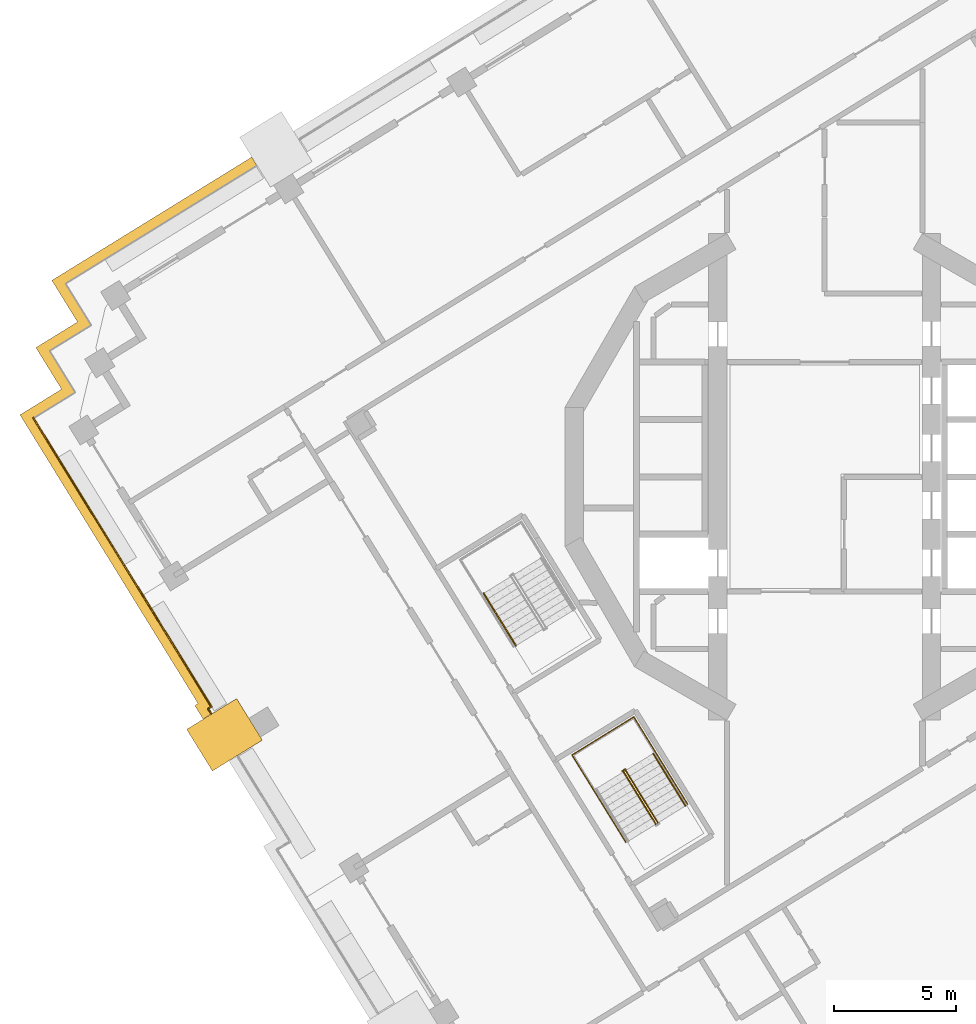
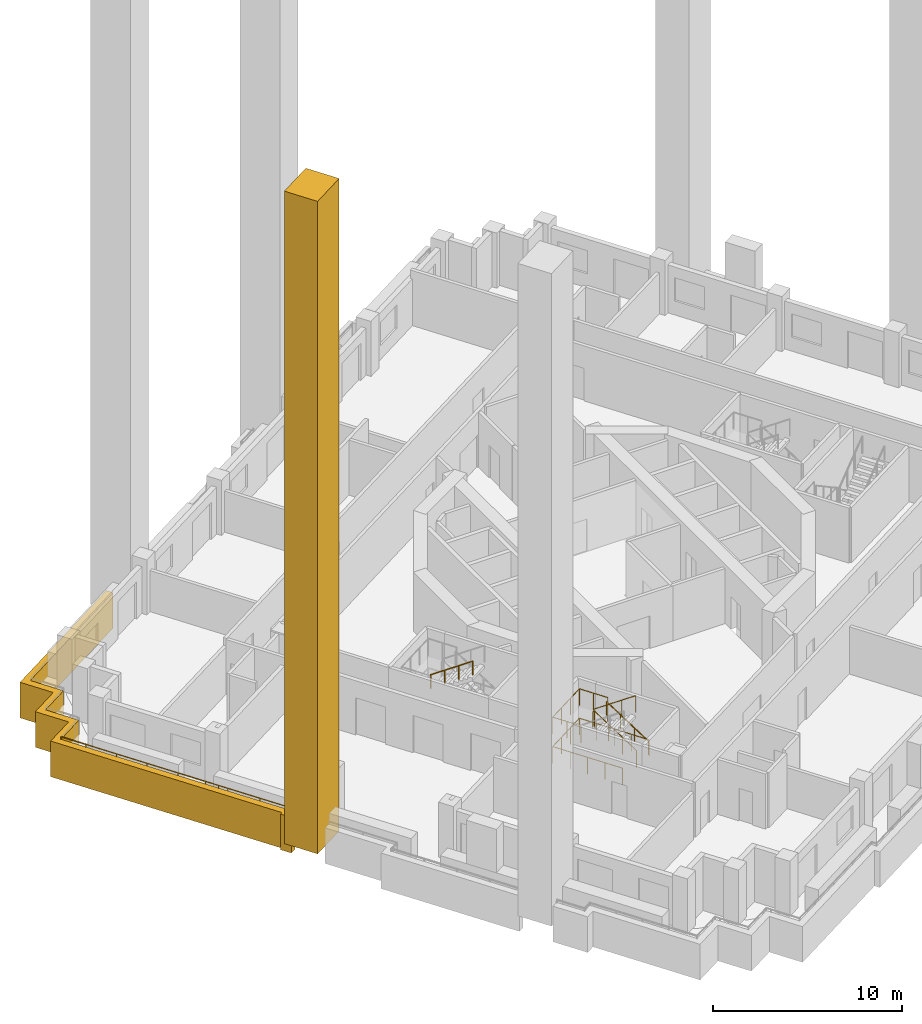
# One storey, part 12 of 19: 7 railings, 2 coverings.
"""IFC4 building model written with IfcOpenShell, lengths in metres."""

from ifc_helpers import new_model, si_unit, direction, frame, origin, origin_2d, place, context, subcontext, project, spatial, polyline, rectangle, circle, outline, extrude, material, type_object, element, save


model = new_model("IFC4")

# Units and contexts
model_context = context("Model", 3, precision=1e-05, world=origin(), true_north=direction((0.0, 1.0)))
body_context = subcontext(model_context, "Body", "Model", "MODEL_VIEW")
ifc_project = project(units=[si_unit("LENGTHUNIT", "METRE"), si_unit("AREAUNIT", "SQUARE_METRE"), si_unit("VOLUMEUNIT", "CUBIC_METRE"), si_unit("PLANEANGLEUNIT", "RADIAN"), si_unit("MASSUNIT", "GRAM", prefix="KILO")], contexts=[model_context])

# Site, building, storey
site_placement = place(None, origin())
site = spatial("IfcSite", under=ifc_project, at=site_placement, CompositionType="ELEMENT")
building_placement = place(site_placement, origin())
building = spatial("IfcBuilding", under=site, at=building_placement, Name="Cantera Rosa Tower", CompositionType="ELEMENT")
storey_placement = place(building_placement, frame((0.0, 0.0, 147.60009765625)))
storey = spatial("IfcBuildingStorey", under=building, at=storey_placement, Name="L31", CompositionType="ELEMENT", Elevation=147.60009765625)

# Railings
ifc_material_1 = material(Name="Stainless steel and laminated glass", Category="steel")
railing_type_1 = type_object("IfcRailingType", Name="GUARD 1100", PredefinedType="BALUSTRADE", material=ifc_material_1)
railing_1_placement = place(storey_placement, frame((-25.111328125, -9.684814453125, 0.0)))
element("IfcRailing", 1, at=railing_1_placement, inside=storey, type_object=railing_type_1, Name="GUARD L31-4", PredefinedType="BALUSTRADE", context=body_context, shape_type="SweptSolid", body=[
    extrude(circle(Radius=0.030029296875, at=origin_2d()), frame((0.0, 0.0, 1.070068359375), z_axis=(-0.524277608227, 0.851547408846, 0.0), x_axis=(-0.851547408846, -0.524277608227, 0.0)), (0.0, 0.0, 1.0), 0.226806640625),
    extrude(circle(Radius=0.030029296875, at=origin_2d()), frame((-0.118896484375, 0.193115234375, 1.070068359375), z_axis=(0.850961909884, 0.525227405917, 0.0), x_axis=(-0.525227405917, 0.850961909884, 0.0)), (0.0, 0.0, 1.0), 0.15673828125),
    extrude(circle(Radius=0.030029296875, at=origin_2d()), frame((0.014404296875, 0.275390625, 1.070068359375), z_axis=(-0.478852130681, 0.877895572914, 0.0), x_axis=(-0.877895572914, -0.478852130681, 0.0)), (0.0, 0.0, 1.0), 0.003173828125),
    extrude(circle(Radius=0.030029296875, at=origin_2d()), frame((0.012939453125, 0.278076171875, 1.070068359375), z_axis=(-0.525004014668, 0.851099750078, 0.0), x_axis=(-0.851099750078, -0.525004014668, 0.0)), (0.0, 0.0, 1.0), 3.860107421875),
    extrude(circle(Radius=0.030029296875, at=origin_2d()), frame((-2.013671875, 3.5634765625, 1.070068359375), z_axis=(-0.524708727401, 0.851281828415, 0.0), x_axis=(-0.851281828415, -0.524708727401, 0.0)), (0.0, 0.0, 1.0), 0.556884765625),
    extrude(circle(Radius=0.030029296875, at=origin_2d()), frame((-2.305908203125, 4.03759765625, 1.070068359375), z_axis=(-0.525093097902, 0.85104479232, 0.0), x_axis=(-0.85104479232, -0.525093097902, 0.0)), (0.0, 0.0, 1.0), 0.793212890625),
    extrude(circle(Radius=0.030029296875, at=origin_2d()), frame((-2.722412109375, 4.712646484375, 1.070068359375), z_axis=(-0.52498875388, 0.851109163562, 0.0), x_axis=(-0.851109163562, -0.52498875388, 0.0)), (0.0, 0.0, 1.0), 1.64990234375),
    extrude(circle(Radius=0.030029296875, at=origin_2d()), frame((-3.588623046875, 6.116943359375, 1.070068359375), z_axis=(-0.524968277683, 0.851121793533, 0.0), x_axis=(-0.851121793533, -0.524968277683, 0.0)), (0.0, 0.0, 1.0), 5.519775390625),
    extrude(circle(Radius=0.030029296875, at=origin_2d()), frame((-6.486328125, 10.81494140625, 1.070068359375), z_axis=(-0.524986950369, 0.851110276017, 0.0), x_axis=(-0.851110276017, -0.524986950369, 0.0)), (0.0, 0.0, 1.0), 1.500244140625),
    extrude(circle(Radius=0.02490234375, at=origin_2d()), origin(), (0.0, 0.0, 1.0), 1.0400390625),
    extrude(circle(Radius=0.02490234375, at=origin_2d()), frame((-0.118896484375, 0.193115234375, 0.0)), (0.0, 0.0, 1.0), 1.0400390625),
    extrude(circle(Radius=0.02490234375, at=origin_2d()), frame((0.014404296875, 0.275390625, 0.0)), (0.0, 0.0, 1.0), 1.0400390625),
    extrude(circle(Radius=0.02490234375, at=origin_2d()), frame((0.012939453125, 0.278076171875, 0.0)), (0.0, 0.0, 1.0), 1.0400390625),
    extrude(circle(Radius=0.02490234375, at=origin_2d()), frame((-1.00048828125, 1.9208984375, 0.0)), (0.0, 0.0, 1.0), 1.0400390625),
    extrude(circle(Radius=0.02490234375, at=origin_2d()), frame((-2.013671875, 3.5634765625, 0.0)), (0.0, 0.0, 1.0), 1.0400390625),
    extrude(circle(Radius=0.02490234375, at=origin_2d()), frame((-2.305908203125, 4.03759765625, 0.0)), (0.0, 0.0, 1.0), 1.0400390625),
    extrude(circle(Radius=0.02490234375, at=origin_2d()), frame((-2.722412109375, 4.712646484375, 0.0)), (0.0, 0.0, 1.0), 1.0400390625),
    extrude(circle(Radius=0.02490234375, at=origin_2d()), frame((-3.588623046875, 6.116943359375, 0.0)), (0.0, 0.0, 1.0), 1.0400390625),
    extrude(circle(Radius=0.02490234375, at=origin_2d()), frame((-4.554443359375, 7.682861328125, 0.0)), (0.0, 0.0, 1.0), 1.0400390625),
    extrude(circle(Radius=0.02490234375, at=origin_2d()), frame((-5.5205078125, 9.2490234375, 0.0)), (0.0, 0.0, 1.0), 1.0400390625),
    extrude(circle(Radius=0.02490234375, at=origin_2d()), frame((-6.486328125, 10.81494140625, 0.0)), (0.0, 0.0, 1.0), 1.0400390625),
    extrude(circle(Radius=0.02490234375, at=origin_2d()), frame((-7.27392578125, 12.091796875, 0.0)), (0.0, 0.0, 1.0), 1.0400390625),
])
ifc_material_2 = material(Name="Steel S355J2 (EN 10025-2)", Category="steel")
railing_type_2 = type_object("IfcRailingType", Name="STAIR GUARD 1100", PredefinedType="GUARDRAIL", material=ifc_material_2)
railing_2_placement = place(storey_placement, frame((-6.8232421875, -14.165771484375, 0.18994140625)))
element("IfcRailing", 2, at=railing_2_placement, inside=storey, type_object=railing_type_2, Name="L31 ST-33 stair guard 1", PredefinedType="GUARDRAIL", context=body_context, shape_type="SweptSolid", body=[
    extrude(circle(Radius=0.02392578125, at=origin_2d()), frame((0.0, 0.0, 1.076171875), z_axis=(-0.434427613125, 0.704271375033, 0.561493080334), x_axis=(-0.851102330005, -0.524999832248, 0.0)), (0.0, 0.0, 1.0), 3.04541015625),
    extrude(circle(Radius=0.02392578125, at=origin_2d()), frame((-1.322998046875, 2.144775390625, 2.7861328125), z_axis=(-0.073711968402, 0.997279572494, 0.0), x_axis=(-0.997279572494, -0.073711968402, 0.0)), (0.0, 0.0, 1.0), 0.056396484375),
    extrude(circle(Radius=0.02392578125, at=origin_2d()), frame((-1.3271484375, 2.200927734375, 2.7861328125), z_axis=(-0.851546489876, -0.524279100842, 0.0), x_axis=(0.524279100842, -0.851546489876, 0.0)), (0.0, 0.0, 1.0), 0.14990234375),
    extrude(circle(Radius=0.02099609375, at=origin_2d()), origin(), (0.0, 0.0, 1.0), 1.052001953125),
    extrude(circle(Radius=0.02099609375, at=origin_2d()), frame((-0.44091796875, 0.71484375, 0.570068359375)), (0.0, 0.0, 1.0), 1.052001953125),
    extrude(circle(Radius=0.02099609375, at=origin_2d()), frame((-0.882080078125, 1.429931640625, 1.139892578125)), (0.0, 0.0, 1.0), 1.052001953125),
    extrude(circle(Radius=0.02099609375, at=origin_2d()), frame((-1.322998046875, 2.144775390625, 1.7099609375)), (0.0, 0.0, 1.0), 1.052001953125),
    extrude(circle(Radius=0.02099609375, at=origin_2d()), frame((-1.3271484375, 2.200927734375, 1.7099609375)), (0.0, 0.0, 1.0), 1.052001953125),
    extrude(circle(Radius=0.02099609375, at=origin_2d()), frame((-1.454833984375, 2.122314453125, 1.7099609375)), (0.0, 0.0, 1.0), 1.052001953125),
])
railing_3_placement = place(storey_placement, frame((-8.229736328125, -12.072509765625, 2.08984375)))
element("IfcRailing", 3, at=railing_3_placement, inside=storey, type_object=railing_type_2, Name="L31 ST-33 stair guard 2", PredefinedType="GUARDRAIL", context=body_context, shape_type="SweptSolid", body=[
    extrude(circle(Radius=0.02392578125, at=origin_2d()), frame((0.0, 0.0, 1.076171875), z_axis=(0.434427613125, -0.704271375033, 0.561493080334), x_axis=(0.851102330005, 0.524999832248, 0.0)), (0.0, 0.0, 1.0), 3.04541015625),
    extrude(circle(Radius=0.02099609375, at=origin_2d()), origin(), (0.0, 0.0, 1.0), 1.052001953125),
    extrude(circle(Radius=0.02099609375, at=origin_2d()), frame((0.44091796875, -0.71484375, 0.570068359375)), (0.0, 0.0, 1.0), 1.052001953125),
    extrude(circle(Radius=0.02099609375, at=origin_2d()), frame((0.882080078125, -1.429931640625, 1.139892578125)), (0.0, 0.0, 1.0), 1.052001953125),
    extrude(circle(Radius=0.02099609375, at=origin_2d()), frame((1.322998046875, -2.144775390625, 1.7099609375)), (0.0, 0.0, 1.0), 1.052001953125),
])
railing_4_placement = place(storey_placement, frame((-5.607421875, -13.40185546875, 0.0)))
element("IfcRailing", 4, at=railing_4_placement, inside=storey, type_object=railing_type_2, Name="L31 ST-33 stair guard 4", PredefinedType="GUARDRAIL", context=body_context, shape_type="SweptSolid", body=[
    extrude(circle(Radius=0.02392578125, at=origin_2d()), frame((0.0, 0.0, 1.076171875), z_axis=(-0.524976478809, 0.851116735059, 0.0), x_axis=(-0.851116735059, -0.524976478809, 0.0)), (0.0, 0.0, 1.0), 4.197998046875),
    extrude(circle(Radius=0.02392578125, at=origin_2d()), frame((-2.203857421875, 3.572998046875, 1.076171875), z_axis=(-0.851132917336, -0.524950242429, 0.0), x_axis=(0.524950242429, -0.851132917336, 0.0)), (0.0, 0.0, 1.0), 2.969970703125),
    extrude(circle(Radius=0.02392578125, at=origin_2d()), frame((-4.731689453125, 2.013916015625, 1.076171875), z_axis=(0.524976478809, -0.851116735059, 0.0), x_axis=(0.851116735059, 0.524976478809, 0.0)), (0.0, 0.0, 1.0), 4.197998046875),
    extrude(circle(Radius=0.02099609375, at=origin_2d()), origin(), (0.0, 0.0, 1.0), 1.052001953125),
    extrude(circle(Radius=0.02099609375, at=origin_2d()), frame((-0.551025390625, 0.893310546875, 0.0)), (0.0, 0.0, 1.0), 1.052001953125),
    extrude(circle(Radius=0.02099609375, at=origin_2d()), frame((-1.10205078125, 1.78662109375, 0.0)), (0.0, 0.0, 1.0), 1.052001953125),
    extrude(circle(Radius=0.02099609375, at=origin_2d()), frame((-1.65283203125, 2.6796875, 0.0)), (0.0, 0.0, 1.0), 1.052001953125),
    extrude(circle(Radius=0.02099609375, at=origin_2d()), frame((-2.203857421875, 3.572998046875, 0.0)), (0.0, 0.0, 1.0), 1.052001953125),
    extrude(circle(Radius=0.02099609375, at=origin_2d()), frame((-3.04638671875, 3.05322265625, 0.0)), (0.0, 0.0, 1.0), 1.052001953125),
    extrude(circle(Radius=0.02099609375, at=origin_2d()), frame((-3.88916015625, 2.53369140625, 0.0)), (0.0, 0.0, 1.0), 1.052001953125),
    extrude(circle(Radius=0.02099609375, at=origin_2d()), frame((-4.731689453125, 2.013916015625, 0.0)), (0.0, 0.0, 1.0), 1.052001953125),
    extrude(circle(Radius=0.02099609375, at=origin_2d()), frame((-4.1806640625, 1.12060546875, 0.0)), (0.0, 0.0, 1.0), 1.052001953125),
    extrude(circle(Radius=0.02099609375, at=origin_2d()), frame((-3.6298828125, 0.2275390625, 0.0)), (0.0, 0.0, 1.0), 1.052001953125),
    extrude(circle(Radius=0.02099609375, at=origin_2d()), frame((-3.078857421875, -0.665771484375, 0.0)), (0.0, 0.0, 1.0), 1.052001953125),
    extrude(circle(Radius=0.02099609375, at=origin_2d()), frame((-2.52783203125, -1.55908203125, 0.0)), (0.0, 0.0, 1.0), 1.052001953125),
])
railing_5_placement = place(storey_placement, frame((-6.917724609375, -11.27734375, 1.89990234375)))
element("IfcRailing", 5, at=railing_5_placement, inside=storey, type_object=railing_type_2, Name="L31 ST-33 stair guard 5", PredefinedType="GUARDRAIL", context=body_context, shape_type="SweptSolid", body=[
    extrude(circle(Radius=0.02392578125, at=origin_2d()), frame((0.0, 0.0, 1.076171875), z_axis=(-0.525025534833, 0.851086474909, 0.0), x_axis=(-0.851086474909, -0.525025534833, 0.0)), (0.0, 0.0, 1.0), 1.701904296875),
    extrude(circle(Radius=0.02392578125, at=origin_2d()), frame((-0.8935546875, 1.448486328125, 1.076171875), z_axis=(-0.851132917336, -0.524950242429, 0.0), x_axis=(0.524950242429, -0.851132917336, 0.0)), (0.0, 0.0, 1.0), 2.969970703125),
    extrude(circle(Radius=0.02392578125, at=origin_2d()), frame((-3.42138671875, -0.110595703125, 1.076171875), z_axis=(0.524961441845, -0.851126009811, 0.0), x_axis=(0.851126009811, 0.524961441845, 0.0)), (0.0, 0.0, 1.0), 1.7021484375),
    extrude(circle(Radius=0.02099609375, at=origin_2d()), origin(), (0.0, 0.0, 1.0), 1.052001953125),
    extrude(circle(Radius=0.02099609375, at=origin_2d()), frame((-0.44677734375, 0.72412109375, 0.0)), (0.0, 0.0, 1.0), 1.052001953125),
    extrude(circle(Radius=0.02099609375, at=origin_2d()), frame((-0.8935546875, 1.448486328125, 0.0)), (0.0, 0.0, 1.0), 1.052001953125),
    extrude(circle(Radius=0.02099609375, at=origin_2d()), frame((-1.736083984375, 0.9287109375, 0.0)), (0.0, 0.0, 1.0), 1.052001953125),
    extrude(circle(Radius=0.02099609375, at=origin_2d()), frame((-2.578857421875, 0.4091796875, 0.0)), (0.0, 0.0, 1.0), 1.052001953125),
    extrude(circle(Radius=0.02099609375, at=origin_2d()), frame((-3.42138671875, -0.110595703125, 0.0)), (0.0, 0.0, 1.0), 1.052001953125),
    extrude(circle(Radius=0.02099609375, at=origin_2d()), frame((-2.974609375, -0.8349609375, 0.0)), (0.0, 0.0, 1.0), 1.052001953125),
    extrude(circle(Radius=0.02099609375, at=origin_2d()), frame((-2.52783203125, -1.559326171875, 0.0)), (0.0, 0.0, 1.0), 1.052001953125),
])
ifc_material_3 = material(Name="Steel S355J2 (EN 10025-2)", Category="steel")
railing_type_3 = type_object("IfcRailingType", Name="STAIR HANDRAIL 900", PredefinedType="HANDRAIL", material=ifc_material_3)
railing_6_placement = place(storey_placement, frame((-13.958251953125, -4.7685546875, 2.08984375)))
element("IfcRailing", 6, at=railing_6_placement, inside=storey, type_object=railing_type_3, Name="L31 ST-32 stair handrail 2", PredefinedType="HANDRAIL", context=body_context, shape_type="SweptSolid", body=[
    extrude(circle(Radius=0.02392578125, at=origin_2d()), frame((0.0, 0.0, 0.8759765625), z_axis=(0.434427613125, -0.704271375033, 0.561493080334), x_axis=(0.851102330005, 0.524999832248, 0.0)), (0.0, 0.0, 1.0), 3.04541015625),
    extrude(circle(Radius=0.02099609375, at=origin_2d()), origin(), (0.0, 0.0, 1.0), 0.851806640625),
    extrude(circle(Radius=0.02099609375, at=origin_2d()), frame((0.44091796875, -0.71484375, 0.570068359375)), (0.0, 0.0, 1.0), 0.851806640625),
    extrude(circle(Radius=0.02099609375, at=origin_2d()), frame((0.882080078125, -1.429931640625, 1.139892578125)), (0.0, 0.0, 1.0), 0.851806640625),
    extrude(circle(Radius=0.02099609375, at=origin_2d()), frame((1.322998046875, -2.144775390625, 1.7099609375)), (0.0, 0.0, 1.0), 0.851806640625),
])
railing_7_placement = place(storey_placement, frame((-5.69482421875, -13.4697265625, 0.18994140625)))
element("IfcRailing", 7, at=railing_7_placement, inside=storey, type_object=railing_type_3, Name="L31 ST-33 stair handrail 1", PredefinedType="HANDRAIL", context=body_context, shape_type="SweptSolid", body=[
    extrude(circle(Radius=0.02392578125, at=origin_2d()), frame((0.0, 0.0, 0.8759765625), z_axis=(-0.434362572038, 0.70429590169, 0.561512634654), x_axis=(-0.851145618652, -0.524929648476, 0.0)), (0.0, 0.0, 1.0), 3.045166015625),
    extrude(circle(Radius=0.02099609375, at=origin_2d()), origin(), (0.0, 0.0, 1.0), 0.851806640625),
    extrude(circle(Radius=0.02099609375, at=origin_2d()), frame((-0.44091796875, 0.71484375, 0.570068359375)), (0.0, 0.0, 1.0), 0.851806640625),
    extrude(circle(Radius=0.02099609375, at=origin_2d()), frame((-0.8818359375, 1.429931640625, 1.139892578125)), (0.0, 0.0, 1.0), 0.851806640625),
    extrude(circle(Radius=0.02099609375, at=origin_2d()), frame((-1.32275390625, 2.144775390625, 1.7099609375)), (0.0, 0.0, 1.0), 0.851806640625),
])

# Coverings
ifc_material_4 = material(Name="Cantera stone", Category="masonry")
covering_type_1 = type_object("IfcCoveringType", Name="STONE FIN 2000x2400", PredefinedType="CLADDING", material=ifc_material_4)
covering_1_placement = place(storey_placement, frame((-24.564697265625, -10.557861328125, -0.300048828125), z_axis=(0.0, 0.0, 1.0), x_axis=(0.52497658034, -0.851116672434, 0.0)))
element("IfcCovering", 8, at=covering_1_placement, inside=storey, type_object=covering_type_1, Name="STONE FIN FN-Z3-07", PredefinedType="CLADDING", context=body_context, shape_type="SweptSolid", body=[
    extrude(rectangle(XDim=2.0, YDim=2.39990234375, at=origin_2d()), origin(), (0.0, 0.0, 1.0), 42.10009765625),
])
ifc_material_5 = material(Name="Cantera stone", Category="masonry")
covering_type_2 = type_object("IfcCoveringType", Name="TRAY FASCIA 400", PredefinedType="CLADDING", material=ifc_material_5)
covering_2_placement = place(storey_placement, frame((0.0, 0.0, -1.400146484375)))
element("IfcCovering", 9, at=covering_2_placement, inside=storey, type_object=covering_type_2, Name="TRAY FASCIA L31-01", PredefinedType="CLADDING", context=body_context, shape_type="SweptSolid", body=[
    extrude(outline(polyline([(-29.040283203125, -3.77783203125), (-31.938232421875, 0.920166015625), (-32.935546875, 2.537353515625), (-31.2333984375, 3.58740234375), (-31.285888671875, 3.67236328125), (-32.283447265625, 5.28955078125), (-30.666259765625, 6.286865234375), (-30.5810546875, 6.339599609375), (-30.633544921875, 6.424560546875), (-31.631103515625, 8.041748046875), (-30.013916015625, 9.0390625), (-24.209228515625, 12.61962890625), (-23.451904296875, 13.086669921875), (-23.241943359375, 12.746337890625), (-23.999267578125, 12.279052734375), (-29.803955078125, 8.69873046875), (-31.08056640625, 7.911376953125), (-30.293212890625, 6.634521484375), (-30.03076171875, 6.208984375), (-30.456298828125, 5.946533203125), (-31.73291015625, 5.1591796875), (-30.9453125, 3.88232421875), (-30.682861328125, 3.456787109375), (-31.1083984375, 3.1943359375), (-32.38525390625, 2.406982421875), (-31.59765625, 1.130126953125), (-28.699951171875, -3.56787109375), (-27.125, -6.121337890625), (-25.096923828125, -9.409423828125), (-25.230224609375, -9.49169921875), (-25.100830078125, -9.70166015625), (-25.441162109375, -9.91162109375), (-25.78076171875, -9.361083984375), (-25.647216796875, -9.27880859375), (-27.46533203125, -6.331298828125), (-29.040283203125, -3.77783203125)])), origin(), (0.0, 0.0, 1.0), 2.300048828125),
])

save(model, "model.ifc")
